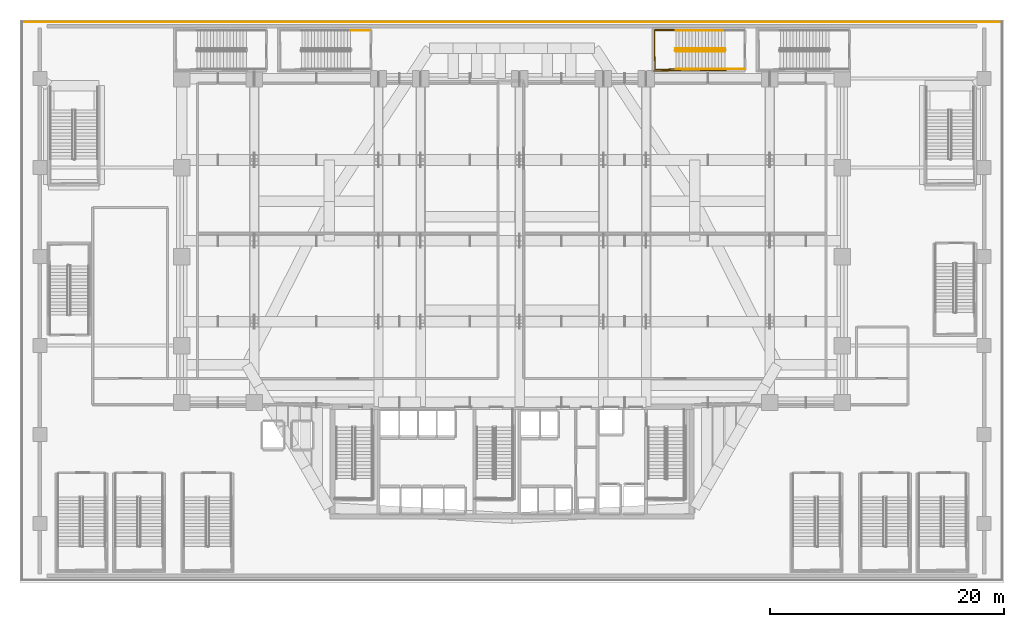
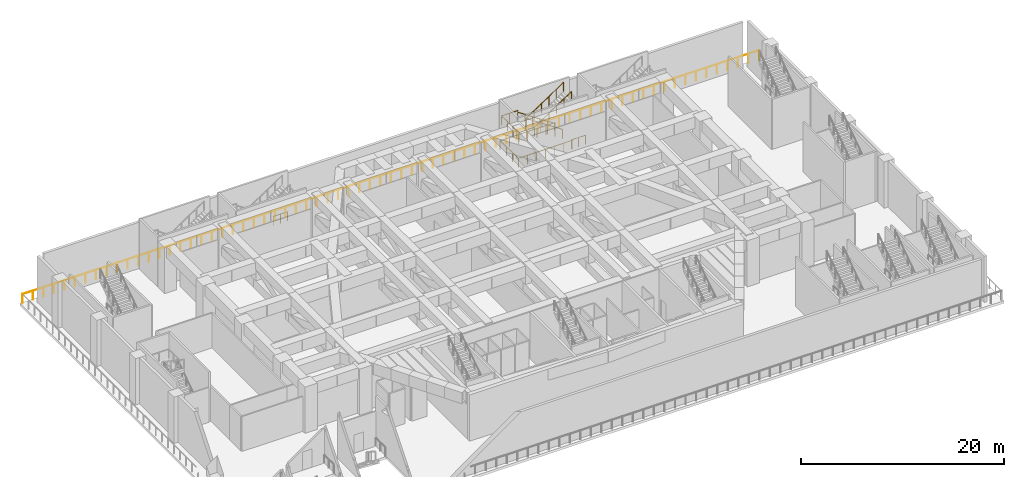
# One storey, part 22 of 27: 9 railings.
"""IFC4 building model written with IfcOpenShell, lengths in metres."""

import ifcopenshell
import ifcopenshell.guid

model = None  # the IFC model being written
_history = None  # IfcOwnerHistory: only IFC2X3 demands one
_inside = {}  # id of a spatial element -> (the spatial element, [elements in it])
_under = {}  # id of a project, library or spatial element -> (it, [spatial elements below it])
_declared = {}  # id of a project -> (the project, [libraries it declares])
_typed = {}  # id of a type object -> (the type object, [elements of that type])
_made_of = {}  # id of a material, layer set ... -> (it, [elements and type objects made of it])


def new_model(schema):
    """Start an empty IFC model of exactly this schema.

    Asked for "IFC4X3", IfcOpenShell would pick the latest addendum, in which some entities
    have other attributes; the version numbers below select the first issue.
    IFC2X3 requires an IfcOwnerHistory on every rooted entity: one is made here for all.
    """
    global model, _history
    if schema == "IFC4X3":
        model = ifcopenshell.file(schema_version=(4, 3, 0, 0))
    else:
        model = ifcopenshell.file(schema=schema)
    _inside.clear()
    _under.clear()
    _declared.clear()
    _typed.clear()
    _made_of.clear()
    _history = None
    if model.schema == "IFC2X3":
        org = make("IfcOrganization", Name="unknown")
        user = make(
            "IfcPersonAndOrganization",
            ThePerson=make("IfcPerson", FamilyName="unknown"),
            TheOrganization=org,
        )
        app = make(
            "IfcApplication",
            ApplicationDeveloper=org,
            Version="unknown",
            ApplicationFullName="unknown",
            ApplicationIdentifier="unknown",
        )
        _history = make(
            "IfcOwnerHistory",
            OwningUser=user,
            OwningApplication=app,
            ChangeAction="ADDED",
            CreationDate=0,
        )
    return model


def make(cls, **values):
    """One entity of the class cls with the attributes given. An attribute that is None is left unset."""
    return model.create_entity(
        cls, **{name: value for name, value in values.items() if value is not None}
    )


def rooted(cls, **values):
    """An entity with a GlobalId (a new one), such as an element, a storey or a relation."""
    return make(cls, GlobalId=ifcopenshell.guid.new(), OwnerHistory=_history, **values)


def si_unit(unit_type, name, prefix=None):
    """IfcSIUnit, for example si_unit("LENGTHUNIT", "METRE", prefix="MILLI")."""
    return make("IfcSIUnit", UnitType=unit_type, Prefix=prefix, Name=name)


def assignment(units):
    """IfcUnitAssignment: the units of a project."""
    return None if units is None else make("IfcUnitAssignment", Units=units)


def point(xyz):
    """IfcCartesianPoint."""
    return None if xyz is None else make("IfcCartesianPoint", Coordinates=xyz)


def direction(xyz):
    """IfcDirection."""
    return None if xyz is None else make("IfcDirection", DirectionRatios=xyz)


def frame(location, z_axis=None, x_axis=None):
    """IfcAxis2Placement3D, a coordinate frame: its origin and axes. An axis left out is left unset."""
    return make(
        "IfcAxis2Placement3D",
        Location=point(location),
        Axis=direction(z_axis),
        RefDirection=direction(x_axis),
    )


def frame_2d(location, x_axis=None):
    """IfcAxis2Placement2D, a coordinate frame in the plane: its origin and x axis."""
    return make(
        "IfcAxis2Placement2D", Location=point(location), RefDirection=direction(x_axis)
    )


def origin():
    """The frame at (0, 0, 0) with its axes left unset."""
    return frame((0.0, 0.0, 0.0))


def origin_2d():
    """The frame at (0, 0) in the plane with its x axis left unset."""
    return frame_2d((0.0, 0.0))


def place(relative_to, where):
    """IfcLocalPlacement: puts the frame where relative to a parent placement (None: the world)."""
    return make(
        "IfcLocalPlacement", PlacementRelTo=relative_to, RelativePlacement=where
    )


def context(
    kind, dimensions, precision=None, world=None, true_north=None, identifier=None
):
    """IfcGeometricRepresentationContext, for example the 3D "Model" context."""
    return make(
        "IfcGeometricRepresentationContext",
        ContextIdentifier=identifier,
        ContextType=kind,
        CoordinateSpaceDimension=dimensions,
        Precision=precision,
        WorldCoordinateSystem=world,
        TrueNorth=true_north,
    )


def subcontext(parent, identifier, kind, view, scale=None):
    """IfcGeometricRepresentationSubContext, for example "Body" below "Model"."""
    return make(
        "IfcGeometricRepresentationSubContext",
        ContextIdentifier=identifier,
        ContextType=kind,
        ParentContext=parent,
        TargetScale=scale,
        TargetView=view,
    )


def project(units=None, contexts=None):
    """IfcProject with its units and contexts."""
    return rooted(
        "IfcProject",
        Name="project",
        RepresentationContexts=contexts,
        UnitsInContext=assignment(units),
    )


def spatial(cls, under=None, at=None, **own):
    """A site, building, storey or space (cls), placed at a placement, below another one or the project."""
    s = rooted(cls, ObjectPlacement=at, **own)
    if under is not None:
        _under.setdefault(under.id(), (under, []))[1].append(s)
    return s


def profile(cls, at=None, kind="AREA", **sizes):
    """A parametric profile (cls). Its sizes go by their IFC names, for example OverallWidth=200.0."""
    return make(cls, ProfileType=kind, Position=at, **sizes)


def circle(**sizes):
    """IfcCircleProfileDef."""
    return profile("IfcCircleProfileDef", **sizes)


def extrude(swept, where, along, depth):
    """IfcExtrudedAreaSolid: the profile swept, set in the frame where, extruded along a direction by depth."""
    return make(
        "IfcExtrudedAreaSolid",
        SweptArea=swept,
        Position=where,
        ExtrudedDirection=direction(along),
        Depth=depth,
    )


def shape(context_of_items, identifier, shape_type, items):
    """IfcShapeRepresentation: the items that make up one representation, for example the "Body"."""
    return make(
        "IfcShapeRepresentation",
        ContextOfItems=context_of_items,
        RepresentationIdentifier=identifier,
        RepresentationType=shape_type,
        Items=items,
    )


def material(Name=None, Category=None):
    """IfcMaterial."""
    return make("IfcMaterial", Name=Name, Category=Category)


def layer(
    of_material, thickness, ventilated=None, Name=None, Category=None, Priority=None
):
    """IfcMaterialLayer: one layer of a wall or slab, of a material (None: an air gap)."""
    return make(
        "IfcMaterialLayer",
        Material=of_material,
        LayerThickness=thickness,
        IsVentilated=ventilated,
        Name=Name,
        Category=Category,
        Priority=Priority,
    )


def layer_set(layers, Name=None):
    """IfcMaterialLayerSet."""
    return make("IfcMaterialLayerSet", MaterialLayers=layers, LayerSetName=Name)


def made_of(thing, what):
    """Note that an element or type object is made of a material, layer set ...; save() writes the relation."""
    if what is not None:
        _made_of.setdefault(what.id(), (what, []))[1].append(thing)
    return thing


def type_object(cls, material=None, **own):
    """A type object (cls), such as IfcWallType, which elements share."""
    return made_of(rooted(cls, **own), material)


def element(
    cls,
    number,
    at=None,
    inside=None,
    cuts=None,
    type_object=None,
    material=None,
    context=None,
    identifier="Body",
    shape_type=None,
    held_by="IfcProductDefinitionShape",
    body=None,
    shapes=None,
    **own,
):
    """One element of the class cls, such as IfcWall. Its Tag is "e" and its number.

    at: its placement. inside: the storey or other place that contains it. cuts: it is an
    opening in that element (IfcRelVoidsElement). A single representation is given by context,
    identifier, shape_type and body (its items); several are given by shapes. held_by: the class
    of the entity that holds the representations. save() writes the other relations.
    """
    e = rooted(cls, Tag="e%d" % number, ObjectPlacement=at, **own)
    if body is not None:
        shapes = [shape(context, identifier, shape_type, body)]
    if shapes is not None:
        e.Representation = make(held_by, Representations=shapes)
    if inside is not None:
        _inside.setdefault(inside.id(), (inside, []))[1].append(e)
    if cuts is not None:
        rooted(
            "IfcRelVoidsElement", RelatingBuildingElement=cuts, RelatedOpeningElement=e
        )
    if type_object is not None:
        _typed.setdefault(type_object.id(), (type_object, []))[1].append(e)
    return made_of(e, material)


def aggregate(whole, parts):
    """IfcRelAggregates: a whole, such as a stair, and the parts it consists of."""
    return rooted("IfcRelAggregates", RelatingObject=whole, RelatedObjects=parts)


def save(model, path):
    """Write the relations noted so far, then the file.

    IfcRelAggregates (storeys below a building ...), IfcRelContainedInSpatialStructure (elements
    in a storey), IfcRelDefinesByType, IfcRelAssociatesMaterial and IfcRelDeclares: one each for
    every whole, place, type object, material and project.
    """
    for whole, parts in _under.values():
        aggregate(whole, parts)
    for where, things in _inside.values():
        rooted(
            "IfcRelContainedInSpatialStructure",
            RelatedElements=things,
            RelatingStructure=where,
        )
    for kind, things in _typed.values():
        rooted("IfcRelDefinesByType", RelatedObjects=things, RelatingType=kind)
    for what, things in _made_of.values():
        rooted("IfcRelAssociatesMaterial", RelatedObjects=things, RelatingMaterial=what)
    for by, libraries in _declared.values():
        rooted("IfcRelDeclares", RelatingContext=by, RelatedDefinitions=libraries)
    model.write(path)


model = new_model("IFC4")

# Units and contexts
model_context = context("Model", 3, precision=1e-05, world=origin(), true_north=direction((0.0, 1.0)))
body_context = subcontext(model_context, "Body", "Model", "MODEL_VIEW")
ifc_project = project(units=[si_unit("LENGTHUNIT", "METRE"), si_unit("AREAUNIT", "SQUARE_METRE"), si_unit("VOLUMEUNIT", "CUBIC_METRE"), si_unit("PLANEANGLEUNIT", "RADIAN"), si_unit("MASSUNIT", "GRAM", prefix="KILO")], contexts=[model_context])

# Site, building, storey
site_placement = place(None, origin())
site = spatial("IfcSite", under=ifc_project, at=site_placement, CompositionType="ELEMENT")
building_placement = place(site_placement, origin())
building = spatial("IfcBuilding", under=site, at=building_placement, Name="Ndaravel Arena Tower", CompositionType="ELEMENT")
storey_placement = place(building_placement, frame((0.0, 0.0, 24.0)))
storey = spatial("IfcBuildingStorey", under=building, at=storey_placement, Name="L04", CompositionType="ELEMENT", Elevation=24.0)

# Railings
ifc_material_1 = material(Name="Steel S355", Category="steel")
ifc_layer_1 = layer(ifc_material_1, 0.06005859375)
ifc_layer_set_1 = layer_set([ifc_layer_1], Name="Steel S355")
railing_type_1 = type_object("IfcRailingType", Name="RAIL-STAIR-GD1100", PredefinedType="GUARDRAIL", material=ifc_layer_set_1)
railing_1_placement = place(storey_placement, frame((29.85009765625, 47.090087890625, 0.0)))
element("IfcRailing", 1, at=railing_1_placement, inside=storey, type_object=railing_type_1, Name="L04 ST-A09 stair guard 5", PredefinedType="GUARDRAIL", context=body_context, shape_type="SweptSolid", body=[
    extrude(circle(Radius=0.02392578125, at=origin_2d()), frame((0.0, 0.0, 1.076171875), z_axis=(-1.0, 0.0, 0.0), x_axis=(0.0, -1.0, 0.0)), (0.0, 0.0, 1.0), 1.6201171875),
    extrude(circle(Radius=0.02099609375, at=origin_2d()), origin(), (0.0, 0.0, 1.0), 1.052001953125),
    extrude(circle(Radius=0.02099609375, at=origin_2d()), frame((-0.81005859375, 0.0, 0.0)), (0.0, 0.0, 1.0), 1.052001953125),
    extrude(circle(Radius=0.02099609375, at=origin_2d()), frame((-1.6201171875, 0.0, 0.0)), (0.0, 0.0, 1.0), 1.052001953125),
])
railing_2_placement = place(storey_placement, frame((60.179931640625, 45.570068359375, 0.1875)))
element("IfcRailing", 2, at=railing_2_placement, inside=storey, type_object=railing_type_1, Name="L04 ST-A10 stair guard 1", PredefinedType="GUARDRAIL", context=body_context, shape_type="SweptSolid", body=[
    extrude(circle(Radius=0.02392578125, at=origin_2d()), frame((0.0, 0.0, 1.076171875), z_axis=(-0.830904186295, 0.0, 0.556415522067), x_axis=(0.0, -1.0, 0.0)), (0.0, 0.0, 1.0), 5.0546875),
    extrude(circle(Radius=0.02392578125, at=origin_2d()), frame((-4.199951171875, 0.0, 3.888671875), z_axis=(-0.25449329928, -0.967074537263, 0.0), x_axis=(0.967074537263, -0.25449329928, 0.0)), (0.0, 0.0, 1.0), 0.19677734375),
    extrude(circle(Radius=0.02099609375, at=origin_2d()), origin(), (0.0, 0.0, 1.0), 1.052001953125),
    extrude(circle(Radius=0.02099609375, at=origin_2d()), frame((-0.840087890625, 0.0, 0.5625)), (0.0, 0.0, 1.0), 1.052001953125),
    extrude(circle(Radius=0.02099609375, at=origin_2d()), frame((-1.679931640625, 0.0, 1.125)), (0.0, 0.0, 1.0), 1.052001953125),
    extrude(circle(Radius=0.02099609375, at=origin_2d()), frame((-2.52001953125, 0.0, 1.6875)), (0.0, 0.0, 1.0), 1.052001953125),
    extrude(circle(Radius=0.02099609375, at=origin_2d()), frame((-3.35986328125, 0.0, 2.25)), (0.0, 0.0, 1.0), 1.052001953125),
    extrude(circle(Radius=0.02099609375, at=origin_2d()), frame((-4.199951171875, 0.0, 2.8125)), (0.0, 0.0, 1.0), 1.052001953125),
    extrude(circle(Radius=0.02099609375, at=origin_2d()), frame((-4.25, -0.190185546875, 2.8125)), (0.0, 0.0, 1.0), 1.052001953125),
])
railing_3_placement = place(storey_placement, frame((55.97998046875, 47.090087890625, 3.0)))
element("IfcRailing", 3, at=railing_3_placement, inside=storey, type_object=railing_type_1, Name="L04 ST-A10 stair guard 2", PredefinedType="GUARDRAIL", context=body_context, shape_type="SweptSolid", body=[
    extrude(circle(Radius=0.02392578125, at=origin_2d()), frame((0.0, 0.0, 1.076171875), z_axis=(-1.0, 0.0, 0.0), x_axis=(0.0, -1.0, 0.0)), (0.0, 0.0, 1.0), 1.830078125),
    extrude(circle(Radius=0.02392578125, at=origin_2d()), frame((-1.830078125, 0.0, 1.076171875), z_axis=(0.015027628384, -0.999887078817, 0.0), x_axis=(0.999887078817, 0.015027628384, 0.0)), (0.0, 0.0, 1.0), 3.33056640625),
    extrude(circle(Radius=0.02392578125, at=origin_2d()), frame((-1.780029296875, -3.330078125, 1.076171875), z_axis=(0.999604955407, 0.028105748986, 0.0), x_axis=(-0.028105748986, 0.999604955407, 0.0)), (0.0, 0.0, 1.0), 1.78076171875),
    extrude(circle(Radius=0.02099609375, at=origin_2d()), origin(), (0.0, 0.0, 1.0), 1.052001953125),
    extrude(circle(Radius=0.02099609375, at=origin_2d()), frame((-0.9150390625, 0.0, 0.0)), (0.0, 0.0, 1.0), 1.052001953125),
    extrude(circle(Radius=0.02099609375, at=origin_2d()), frame((-1.830078125, 0.0, 0.0)), (0.0, 0.0, 1.0), 1.052001953125),
    extrude(circle(Radius=0.02099609375, at=origin_2d()), frame((-1.8134765625, -1.110107421875, 0.0)), (0.0, 0.0, 1.0), 1.052001953125),
    extrude(circle(Radius=0.02099609375, at=origin_2d()), frame((-1.796630859375, -2.219970703125, 0.0)), (0.0, 0.0, 1.0), 1.052001953125),
    extrude(circle(Radius=0.02099609375, at=origin_2d()), frame((-1.780029296875, -3.330078125, 0.0)), (0.0, 0.0, 1.0), 1.052001953125),
    extrude(circle(Radius=0.02099609375, at=origin_2d()), frame((-0.89013671875, -3.30517578125, 0.0)), (0.0, 0.0, 1.0), 1.052001953125),
    extrude(circle(Radius=0.02099609375, at=origin_2d()), frame((0.0, -3.280029296875, 0.0)), (0.0, 0.0, 1.0), 1.052001953125),
])
railing_4_placement = place(storey_placement, frame((55.97998046875, 45.330078125, 3.1875)))
element("IfcRailing", 4, at=railing_4_placement, inside=storey, type_object=railing_type_1, Name="L04 ST-A10 stair guard 3", PredefinedType="GUARDRAIL", context=body_context, shape_type="SweptSolid", body=[
    extrude(circle(Radius=0.02392578125, at=origin_2d()), frame((0.0, 0.0, 1.076171875), z_axis=(0.830904186295, 0.0, 0.556415522067), x_axis=(0.0, 1.0, 0.0)), (0.0, 0.0, 1.0), 5.0546875),
    extrude(circle(Radius=0.02099609375, at=origin_2d()), origin(), (0.0, 0.0, 1.0), 1.052001953125),
    extrude(circle(Radius=0.02099609375, at=origin_2d()), frame((0.840087890625, 0.0, 0.5625)), (0.0, 0.0, 1.0), 1.052001953125),
    extrude(circle(Radius=0.02099609375, at=origin_2d()), frame((1.679931640625, 0.0, 1.125)), (0.0, 0.0, 1.0), 1.052001953125),
    extrude(circle(Radius=0.02099609375, at=origin_2d()), frame((2.52001953125, 0.0, 1.6875)), (0.0, 0.0, 1.0), 1.052001953125),
    extrude(circle(Radius=0.02099609375, at=origin_2d()), frame((3.35986328125, 0.0, 2.25)), (0.0, 0.0, 1.0), 1.052001953125),
    extrude(circle(Radius=0.02099609375, at=origin_2d()), frame((4.199951171875, 0.0, 2.8125)), (0.0, 0.0, 1.0), 1.052001953125),
])
railing_5_placement = place(storey_placement, frame((61.800048828125, 43.81005859375, 0.0)))
element("IfcRailing", 5, at=railing_5_placement, inside=storey, type_object=railing_type_1, Name="L04 ST-A10 stair guard 6", PredefinedType="GUARDRAIL", context=body_context, shape_type="SweptSolid", body=[
    extrude(circle(Radius=0.02392578125, at=origin_2d()), frame((0.0, 0.0, 1.076171875), z_axis=(-1.0, 0.0, 0.0), x_axis=(0.0, -1.0, 0.0)), (0.0, 0.0, 1.0), 1.6201171875),
    extrude(circle(Radius=0.02099609375, at=origin_2d()), origin(), (0.0, 0.0, 1.0), 1.052001953125),
    extrude(circle(Radius=0.02099609375, at=origin_2d()), frame((-0.81005859375, 0.0, 0.0)), (0.0, 0.0, 1.0), 1.052001953125),
    extrude(circle(Radius=0.02099609375, at=origin_2d()), frame((-1.6201171875, 0.0, 0.0)), (0.0, 0.0, 1.0), 1.052001953125),
])
railing_6_placement = place(storey_placement, frame((60.280029296875, 47.18994140625, 0.0)))
element("IfcRailing", 6, at=railing_6_placement, inside=storey, type_object=railing_type_1, Name="L04 ST-A10 stair guard 7", PredefinedType="GUARDRAIL", context=body_context, shape_type="SweptSolid", body=[
    extrude(circle(Radius=0.02392578125, at=origin_2d()), frame((0.0, 0.0, 1.076171875), z_axis=(-1.0, 0.0, 0.0), x_axis=(0.0, -1.0, 0.0)), (0.0, 0.0, 1.0), 6.22998046875),
    extrude(circle(Radius=0.02392578125, at=origin_2d()), frame((-6.22998046875, 0.0, 1.076171875), z_axis=(0.014176595818, -0.999899507016, 0.0), x_axis=(0.999899507016, 0.014176595818, 0.0)), (0.0, 0.0, 1.0), 3.5302734375),
    extrude(circle(Radius=0.02392578125, at=origin_2d()), frame((-6.179931640625, -3.530029296875, 1.076171875), z_axis=(0.999967207908, 0.008098339889, 0.0), x_axis=(-0.008098339889, 0.999967207908, 0.0)), (0.0, 0.0, 1.0), 6.18017578125),
    extrude(circle(Radius=0.02099609375, at=origin_2d()), origin(), (0.0, 0.0, 1.0), 1.052001953125),
    extrude(circle(Radius=0.02099609375, at=origin_2d()), frame((-1.038330078125, 0.0, 0.0)), (0.0, 0.0, 1.0), 1.052001953125),
    extrude(circle(Radius=0.02099609375, at=origin_2d()), frame((-2.07666015625, 0.0, 0.0)), (0.0, 0.0, 1.0), 1.052001953125),
    extrude(circle(Radius=0.02099609375, at=origin_2d()), frame((-3.114990234375, 0.0, 0.0)), (0.0, 0.0, 1.0), 1.052001953125),
    extrude(circle(Radius=0.02099609375, at=origin_2d()), frame((-4.1533203125, 0.0, 0.0)), (0.0, 0.0, 1.0), 1.052001953125),
    extrude(circle(Radius=0.02099609375, at=origin_2d()), frame((-5.191650390625, 0.0, 0.0)), (0.0, 0.0, 1.0), 1.052001953125),
    extrude(circle(Radius=0.02099609375, at=origin_2d()), frame((-6.22998046875, 0.0, 0.0)), (0.0, 0.0, 1.0), 1.052001953125),
    extrude(circle(Radius=0.02099609375, at=origin_2d()), frame((-6.21337890625, -1.1767578125, 0.0)), (0.0, 0.0, 1.0), 1.052001953125),
    extrude(circle(Radius=0.02099609375, at=origin_2d()), frame((-6.196533203125, -2.353271484375, 0.0)), (0.0, 0.0, 1.0), 1.052001953125),
    extrude(circle(Radius=0.02099609375, at=origin_2d()), frame((-6.179931640625, -3.530029296875, 0.0)), (0.0, 0.0, 1.0), 1.052001953125),
    extrude(circle(Radius=0.02099609375, at=origin_2d()), frame((-5.14990234375, -3.521728515625, 0.0)), (0.0, 0.0, 1.0), 1.052001953125),
    extrude(circle(Radius=0.02099609375, at=origin_2d()), frame((-4.119873046875, -3.513427734375, 0.0)), (0.0, 0.0, 1.0), 1.052001953125),
    extrude(circle(Radius=0.02099609375, at=origin_2d()), frame((-3.08984375, -3.5048828125, 0.0)), (0.0, 0.0, 1.0), 1.052001953125),
    extrude(circle(Radius=0.02099609375, at=origin_2d()), frame((-2.06005859375, -3.49658203125, 0.0)), (0.0, 0.0, 1.0), 1.052001953125),
    extrude(circle(Radius=0.02099609375, at=origin_2d()), frame((-1.030029296875, -3.48828125, 0.0)), (0.0, 0.0, 1.0), 1.052001953125),
    extrude(circle(Radius=0.02099609375, at=origin_2d()), frame((0.0, -3.47998046875, 0.0)), (0.0, 0.0, 1.0), 1.052001953125),
])
ifc_material_2 = material(Name="Steel S355", Category="steel")
ifc_layer_2 = layer(ifc_material_2, 0.050048828125)
ifc_layer_set_2 = layer_set([ifc_layer_2], Name="Steel S355")
railing_type_2 = type_object("IfcRailingType", Name="RAIL-STAIR-HR920", PredefinedType="HANDRAIL", material=ifc_layer_set_2)
railing_7_placement = place(storey_placement, frame((60.179931640625, 47.090087890625, 0.1875)))
element("IfcRailing", 7, at=railing_7_placement, inside=storey, type_object=railing_type_2, Name="L04 ST-A10 stair handrail 1", PredefinedType="HANDRAIL", context=body_context, shape_type="SweptSolid", body=[
    extrude(circle(Radius=0.02392578125, at=origin_2d()), frame((0.0, 0.0, 0.8759765625), z_axis=(-0.830904186295, 0.0, 0.556415522067), x_axis=(0.0, -1.0, 0.0)), (0.0, 0.0, 1.0), 5.0546875),
    extrude(circle(Radius=0.02099609375, at=origin_2d()), origin(), (0.0, 0.0, 1.0), 0.851806640625),
    extrude(circle(Radius=0.02099609375, at=origin_2d()), frame((-0.840087890625, 0.0, 0.5625)), (0.0, 0.0, 1.0), 0.851806640625),
    extrude(circle(Radius=0.02099609375, at=origin_2d()), frame((-1.679931640625, 0.0, 1.125)), (0.0, 0.0, 1.0), 0.851806640625),
    extrude(circle(Radius=0.02099609375, at=origin_2d()), frame((-2.52001953125, 0.0, 1.6875)), (0.0, 0.0, 1.0), 0.851806640625),
    extrude(circle(Radius=0.02099609375, at=origin_2d()), frame((-3.35986328125, 0.0, 2.25)), (0.0, 0.0, 1.0), 0.851806640625),
    extrude(circle(Radius=0.02099609375, at=origin_2d()), frame((-4.199951171875, 0.0, 2.8125)), (0.0, 0.0, 1.0), 0.851806640625),
])
railing_8_placement = place(storey_placement, frame((55.97998046875, 43.81005859375, 3.1875)))
element("IfcRailing", 8, at=railing_8_placement, inside=storey, type_object=railing_type_2, Name="L04 ST-A10 stair handrail 2", PredefinedType="HANDRAIL", context=body_context, shape_type="SweptSolid", body=[
    extrude(circle(Radius=0.02392578125, at=origin_2d()), frame((0.0, 0.0, 0.8759765625), z_axis=(0.830904186295, 0.0, 0.556415522067), x_axis=(0.0, 1.0, 0.0)), (0.0, 0.0, 1.0), 5.0546875),
    extrude(circle(Radius=0.02099609375, at=origin_2d()), origin(), (0.0, 0.0, 1.0), 0.851806640625),
    extrude(circle(Radius=0.02099609375, at=origin_2d()), frame((0.840087890625, 0.0, 0.5625)), (0.0, 0.0, 1.0), 0.851806640625),
    extrude(circle(Radius=0.02099609375, at=origin_2d()), frame((1.679931640625, 0.0, 1.125)), (0.0, 0.0, 1.0), 0.851806640625),
    extrude(circle(Radius=0.02099609375, at=origin_2d()), frame((2.52001953125, 0.0, 1.6875)), (0.0, 0.0, 1.0), 0.851806640625),
    extrude(circle(Radius=0.02099609375, at=origin_2d()), frame((3.35986328125, 0.0, 2.25)), (0.0, 0.0, 1.0), 0.851806640625),
    extrude(circle(Radius=0.02099609375, at=origin_2d()), frame((4.199951171875, 0.0, 2.8125)), (0.0, 0.0, 1.0), 0.851806640625),
])
ifc_material_3 = material(Name="Glazing", Category="glass")
ifc_layer_3 = layer(ifc_material_3, 0.070068359375)
ifc_layer_set_3 = layer_set([ifc_layer_3], Name="Glazing")
railing_type_3 = type_object("IfcRailingType", Name="RAIL-TERRACE-1150", PredefinedType="BALUSTRADE", material=ifc_layer_set_3)
railing_9_placement = place(storey_placement, frame((83.820068359375, 47.820068359375, 0.0)))
element("IfcRailing", 9, at=railing_9_placement, inside=storey, type_object=railing_type_3, Name="L04 Podium Perimeter Edge Guard 3", PredefinedType="BALUSTRADE", context=body_context, shape_type="SweptSolid", body=[
    extrude(circle(Radius=0.02392578125, at=origin_2d()), frame((0.0, 0.0, 1.1259765625), z_axis=(-1.0, 0.0, 0.0), x_axis=(0.0, -1.0, 0.0)), (0.0, 0.0, 1.0), 83.64013671875),
    extrude(circle(Radius=0.02099609375, at=origin_2d()), origin(), (0.0, 0.0, 1.0), 1.101806640625),
    extrude(circle(Radius=0.02099609375, at=origin_2d()), frame((-1.19482421875, 0.0, 0.0)), (0.0, 0.0, 1.0), 1.101806640625),
    extrude(circle(Radius=0.02099609375, at=origin_2d()), frame((-2.3896484375, 0.0, 0.0)), (0.0, 0.0, 1.0), 1.101806640625),
    extrude(circle(Radius=0.02099609375, at=origin_2d()), frame((-3.58447265625, 0.0, 0.0)), (0.0, 0.0, 1.0), 1.101806640625),
    extrude(circle(Radius=0.02099609375, at=origin_2d()), frame((-4.779541015625, 0.0, 0.0)), (0.0, 0.0, 1.0), 1.101806640625),
    extrude(circle(Radius=0.02099609375, at=origin_2d()), frame((-5.974365234375, 0.0, 0.0)), (0.0, 0.0, 1.0), 1.101806640625),
    extrude(circle(Radius=0.02099609375, at=origin_2d()), frame((-7.169189453125, 0.0, 0.0)), (0.0, 0.0, 1.0), 1.101806640625),
    extrude(circle(Radius=0.02099609375, at=origin_2d()), frame((-8.364013671875, 0.0, 0.0)), (0.0, 0.0, 1.0), 1.101806640625),
    extrude(circle(Radius=0.02099609375, at=origin_2d()), frame((-9.558837890625, 0.0, 0.0)), (0.0, 0.0, 1.0), 1.101806640625),
    extrude(circle(Radius=0.02099609375, at=origin_2d()), frame((-10.753662109375, 0.0, 0.0)), (0.0, 0.0, 1.0), 1.101806640625),
    extrude(circle(Radius=0.02099609375, at=origin_2d()), frame((-11.948486328125, 0.0, 0.0)), (0.0, 0.0, 1.0), 1.101806640625),
    extrude(circle(Radius=0.02099609375, at=origin_2d()), frame((-13.1435546875, 0.0, 0.0)), (0.0, 0.0, 1.0), 1.101806640625),
    extrude(circle(Radius=0.02099609375, at=origin_2d()), frame((-14.33837890625, 0.0, 0.0)), (0.0, 0.0, 1.0), 1.101806640625),
    extrude(circle(Radius=0.02099609375, at=origin_2d()), frame((-15.533203125, 0.0, 0.0)), (0.0, 0.0, 1.0), 1.101806640625),
    extrude(circle(Radius=0.02099609375, at=origin_2d()), frame((-16.72802734375, 0.0, 0.0)), (0.0, 0.0, 1.0), 1.101806640625),
    extrude(circle(Radius=0.02099609375, at=origin_2d()), frame((-17.9228515625, 0.0, 0.0)), (0.0, 0.0, 1.0), 1.101806640625),
    extrude(circle(Radius=0.02099609375, at=origin_2d()), frame((-19.11767578125, 0.0, 0.0)), (0.0, 0.0, 1.0), 1.101806640625),
    extrude(circle(Radius=0.02099609375, at=origin_2d()), frame((-20.3125, 0.0, 0.0)), (0.0, 0.0, 1.0), 1.101806640625),
    extrude(circle(Radius=0.02099609375, at=origin_2d()), frame((-21.507568359375, 0.0, 0.0)), (0.0, 0.0, 1.0), 1.101806640625),
    extrude(circle(Radius=0.02099609375, at=origin_2d()), frame((-22.702392578125, 0.0, 0.0)), (0.0, 0.0, 1.0), 1.101806640625),
    extrude(circle(Radius=0.02099609375, at=origin_2d()), frame((-23.897216796875, 0.0, 0.0)), (0.0, 0.0, 1.0), 1.101806640625),
    extrude(circle(Radius=0.02099609375, at=origin_2d()), frame((-25.092041015625, 0.0, 0.0)), (0.0, 0.0, 1.0), 1.101806640625),
    extrude(circle(Radius=0.02099609375, at=origin_2d()), frame((-26.286865234375, 0.0, 0.0)), (0.0, 0.0, 1.0), 1.101806640625),
    extrude(circle(Radius=0.02099609375, at=origin_2d()), frame((-27.481689453125, 0.0, 0.0)), (0.0, 0.0, 1.0), 1.101806640625),
    extrude(circle(Radius=0.02099609375, at=origin_2d()), frame((-28.676513671875, 0.0, 0.0)), (0.0, 0.0, 1.0), 1.101806640625),
    extrude(circle(Radius=0.02099609375, at=origin_2d()), frame((-29.87158203125, 0.0, 0.0)), (0.0, 0.0, 1.0), 1.101806640625),
    extrude(circle(Radius=0.02099609375, at=origin_2d()), frame((-31.06640625, 0.0, 0.0)), (0.0, 0.0, 1.0), 1.101806640625),
    extrude(circle(Radius=0.02099609375, at=origin_2d()), frame((-32.26123046875, 0.0, 0.0)), (0.0, 0.0, 1.0), 1.101806640625),
    extrude(circle(Radius=0.02099609375, at=origin_2d()), frame((-33.4560546875, 0.0, 0.0)), (0.0, 0.0, 1.0), 1.101806640625),
    extrude(circle(Radius=0.02099609375, at=origin_2d()), frame((-34.65087890625, 0.0, 0.0)), (0.0, 0.0, 1.0), 1.101806640625),
    extrude(circle(Radius=0.02099609375, at=origin_2d()), frame((-35.845703125, 0.0, 0.0)), (0.0, 0.0, 1.0), 1.101806640625),
    extrude(circle(Radius=0.02099609375, at=origin_2d()), frame((-37.04052734375, 0.0, 0.0)), (0.0, 0.0, 1.0), 1.101806640625),
    extrude(circle(Radius=0.02099609375, at=origin_2d()), frame((-38.235595703125, 0.0, 0.0)), (0.0, 0.0, 1.0), 1.101806640625),
    extrude(circle(Radius=0.02099609375, at=origin_2d()), frame((-39.430419921875, 0.0, 0.0)), (0.0, 0.0, 1.0), 1.101806640625),
    extrude(circle(Radius=0.02099609375, at=origin_2d()), frame((-40.625244140625, 0.0, 0.0)), (0.0, 0.0, 1.0), 1.101806640625),
    extrude(circle(Radius=0.02099609375, at=origin_2d()), frame((-41.820068359375, 0.0, 0.0)), (0.0, 0.0, 1.0), 1.101806640625),
    extrude(circle(Radius=0.02099609375, at=origin_2d()), frame((-43.014892578125, 0.0, 0.0)), (0.0, 0.0, 1.0), 1.101806640625),
    extrude(circle(Radius=0.02099609375, at=origin_2d()), frame((-44.209716796875, 0.0, 0.0)), (0.0, 0.0, 1.0), 1.101806640625),
    extrude(circle(Radius=0.02099609375, at=origin_2d()), frame((-45.404541015625, 0.0, 0.0)), (0.0, 0.0, 1.0), 1.101806640625),
    extrude(circle(Radius=0.02099609375, at=origin_2d()), frame((-46.599609375, 0.0, 0.0)), (0.0, 0.0, 1.0), 1.101806640625),
    extrude(circle(Radius=0.02099609375, at=origin_2d()), frame((-47.79443359375, 0.0, 0.0)), (0.0, 0.0, 1.0), 1.101806640625),
    extrude(circle(Radius=0.02099609375, at=origin_2d()), frame((-48.9892578125, 0.0, 0.0)), (0.0, 0.0, 1.0), 1.101806640625),
    extrude(circle(Radius=0.02099609375, at=origin_2d()), frame((-50.18408203125, 0.0, 0.0)), (0.0, 0.0, 1.0), 1.101806640625),
    extrude(circle(Radius=0.02099609375, at=origin_2d()), frame((-51.37890625, 0.0, 0.0)), (0.0, 0.0, 1.0), 1.101806640625),
    extrude(circle(Radius=0.02099609375, at=origin_2d()), frame((-52.57373046875, 0.0, 0.0)), (0.0, 0.0, 1.0), 1.101806640625),
    extrude(circle(Radius=0.02099609375, at=origin_2d()), frame((-53.7685546875, 0.0, 0.0)), (0.0, 0.0, 1.0), 1.101806640625),
    extrude(circle(Radius=0.02099609375, at=origin_2d()), frame((-54.963623046875, 0.0, 0.0)), (0.0, 0.0, 1.0), 1.101806640625),
    extrude(circle(Radius=0.02099609375, at=origin_2d()), frame((-56.158447265625, 0.0, 0.0)), (0.0, 0.0, 1.0), 1.101806640625),
    extrude(circle(Radius=0.02099609375, at=origin_2d()), frame((-57.353271484375, 0.0, 0.0)), (0.0, 0.0, 1.0), 1.101806640625),
    extrude(circle(Radius=0.02099609375, at=origin_2d()), frame((-58.548095703125, 0.0, 0.0)), (0.0, 0.0, 1.0), 1.101806640625),
    extrude(circle(Radius=0.02099609375, at=origin_2d()), frame((-59.742919921875, 0.0, 0.0)), (0.0, 0.0, 1.0), 1.101806640625),
    extrude(circle(Radius=0.02099609375, at=origin_2d()), frame((-60.937744140625, 0.0, 0.0)), (0.0, 0.0, 1.0), 1.101806640625),
    extrude(circle(Radius=0.02099609375, at=origin_2d()), frame((-62.132568359375, 0.0, 0.0)), (0.0, 0.0, 1.0), 1.101806640625),
    extrude(circle(Radius=0.02099609375, at=origin_2d()), frame((-63.32763671875, 0.0, 0.0)), (0.0, 0.0, 1.0), 1.101806640625),
    extrude(circle(Radius=0.02099609375, at=origin_2d()), frame((-64.5224609375, 0.0, 0.0)), (0.0, 0.0, 1.0), 1.101806640625),
    extrude(circle(Radius=0.02099609375, at=origin_2d()), frame((-65.71728515625, 0.0, 0.0)), (0.0, 0.0, 1.0), 1.101806640625),
    extrude(circle(Radius=0.02099609375, at=origin_2d()), frame((-66.912109375, 0.0, 0.0)), (0.0, 0.0, 1.0), 1.101806640625),
    extrude(circle(Radius=0.02099609375, at=origin_2d()), frame((-68.10693359375, 0.0, 0.0)), (0.0, 0.0, 1.0), 1.101806640625),
    extrude(circle(Radius=0.02099609375, at=origin_2d()), frame((-69.3017578125, 0.0, 0.0)), (0.0, 0.0, 1.0), 1.101806640625),
    extrude(circle(Radius=0.02099609375, at=origin_2d()), frame((-70.49658203125, 0.0, 0.0)), (0.0, 0.0, 1.0), 1.101806640625),
    extrude(circle(Radius=0.02099609375, at=origin_2d()), frame((-71.691650390625, 0.0, 0.0)), (0.0, 0.0, 1.0), 1.101806640625),
    extrude(circle(Radius=0.02099609375, at=origin_2d()), frame((-72.886474609375, 0.0, 0.0)), (0.0, 0.0, 1.0), 1.101806640625),
    extrude(circle(Radius=0.02099609375, at=origin_2d()), frame((-74.081298828125, 0.0, 0.0)), (0.0, 0.0, 1.0), 1.101806640625),
    extrude(circle(Radius=0.02099609375, at=origin_2d()), frame((-75.276123046875, 0.0, 0.0)), (0.0, 0.0, 1.0), 1.101806640625),
    extrude(circle(Radius=0.02099609375, at=origin_2d()), frame((-76.470947265625, 0.0, 0.0)), (0.0, 0.0, 1.0), 1.101806640625),
    extrude(circle(Radius=0.02099609375, at=origin_2d()), frame((-77.665771484375, 0.0, 0.0)), (0.0, 0.0, 1.0), 1.101806640625),
    extrude(circle(Radius=0.02099609375, at=origin_2d()), frame((-78.860595703125, 0.0, 0.0)), (0.0, 0.0, 1.0), 1.101806640625),
    extrude(circle(Radius=0.02099609375, at=origin_2d()), frame((-80.0556640625, 0.0, 0.0)), (0.0, 0.0, 1.0), 1.101806640625),
    extrude(circle(Radius=0.02099609375, at=origin_2d()), frame((-81.25048828125, 0.0, 0.0)), (0.0, 0.0, 1.0), 1.101806640625),
    extrude(circle(Radius=0.02099609375, at=origin_2d()), frame((-82.4453125, 0.0, 0.0)), (0.0, 0.0, 1.0), 1.101806640625),
    extrude(circle(Radius=0.02099609375, at=origin_2d()), frame((-83.64013671875, 0.0, 0.0)), (0.0, 0.0, 1.0), 1.101806640625),
])

save(model, "model.ifc")
